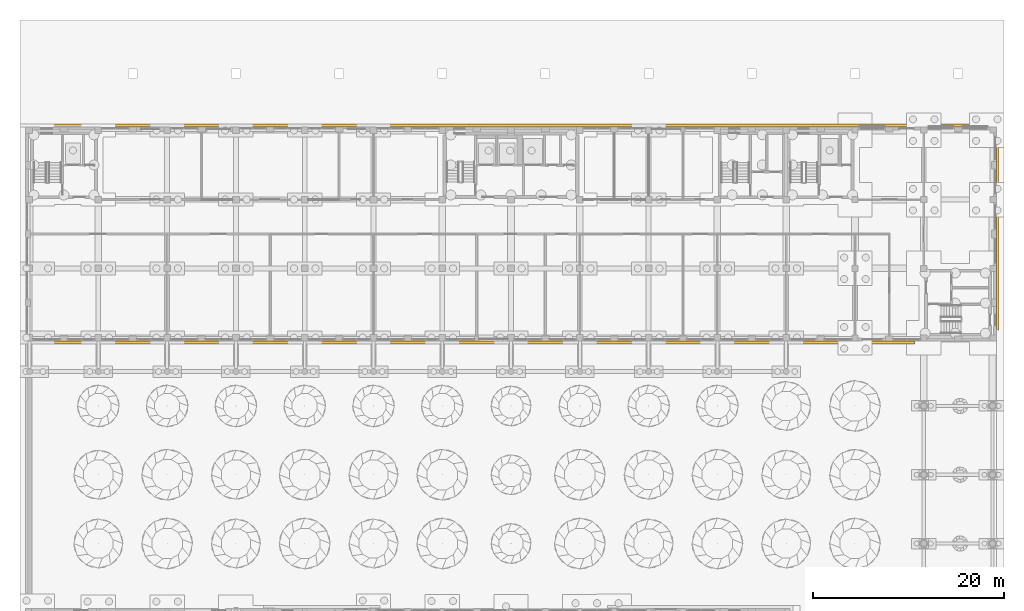
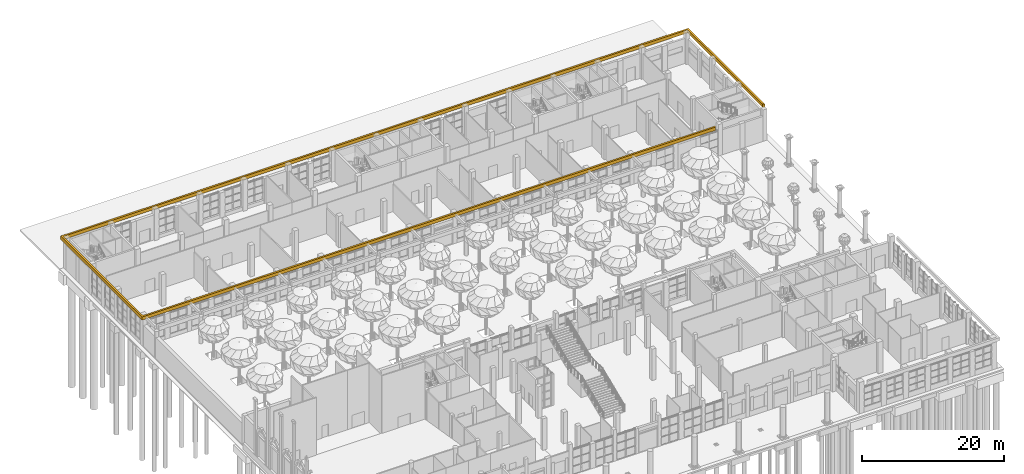
# One storey, part 71 of 80: 1 covering.
"""IFC4 building model written with IfcOpenShell, lengths in metres."""

from ifc_helpers import new_model, si_unit, direction, frame, origin, place, context, subcontext, project, spatial, polyline, outline, extrude, material, type_object, element, save


model = new_model("IFC4")

# Units and contexts
model_context = context("Model", 3, precision=1e-05, world=origin(), true_north=direction((0.0, 1.0)))
body_context = subcontext(model_context, "Body", "Model", "MODEL_VIEW")
ifc_project = project(units=[si_unit("LENGTHUNIT", "METRE"), si_unit("AREAUNIT", "SQUARE_METRE"), si_unit("VOLUMEUNIT", "CUBIC_METRE"), si_unit("PLANEANGLEUNIT", "RADIAN"), si_unit("MASSUNIT", "GRAM", prefix="KILO")], contexts=[model_context])

# Site, building, storey
site_placement = place(None, origin())
site = spatial("IfcSite", under=ifc_project, at=site_placement, CompositionType="ELEMENT")
building_placement = place(site_placement, origin())
building = spatial("IfcBuilding", under=site, at=building_placement, Name="Ussher Court Research Institute", CompositionType="ELEMENT")
storey_placement = place(building_placement, origin())
storey = spatial("IfcBuildingStorey", under=building, at=storey_placement, Name="L00", CompositionType="ELEMENT", Elevation=0.0)

# Covering
ifc_material = material(Name="Limestone cornice", Category="masonry")
covering_type = type_object("IfcCoveringType", Name="String course 300x550", PredefinedType="CLADDING", material=ifc_material)
covering_placement = place(storey_placement, frame((0.0, 0.0, 4.85009765625)))
element("IfcCovering", 1, at=covering_placement, inside=storey, type_object=covering_type, Name="String course CC4", PredefinedType="CLADDING", context=body_context, shape_type="SweptSolid", body=[
    extrude(outline(polyline([(104.5, 69.44140625), (104.5, 91.10009765625), (2.300048828125, 91.10009765625), (2.300048828125, 68.10009765625), (95.64990234375, 68.10009765625), (95.64990234375, 68.39990234375), (2.60009765625, 68.39990234375), (2.60009765625, 90.800048828125), (104.199951171875, 90.800048828125), (104.199951171875, 69.660888671875), (104.248046875, 69.63818359375), (104.328125, 69.59033203125), (104.403076171875, 69.534912109375), (104.47216796875, 69.47216796875), (104.5, 69.44140625)])), origin(), (0.0, 0.0, 1.0), 0.5498046875),
])

save(model, "model.ifc")
